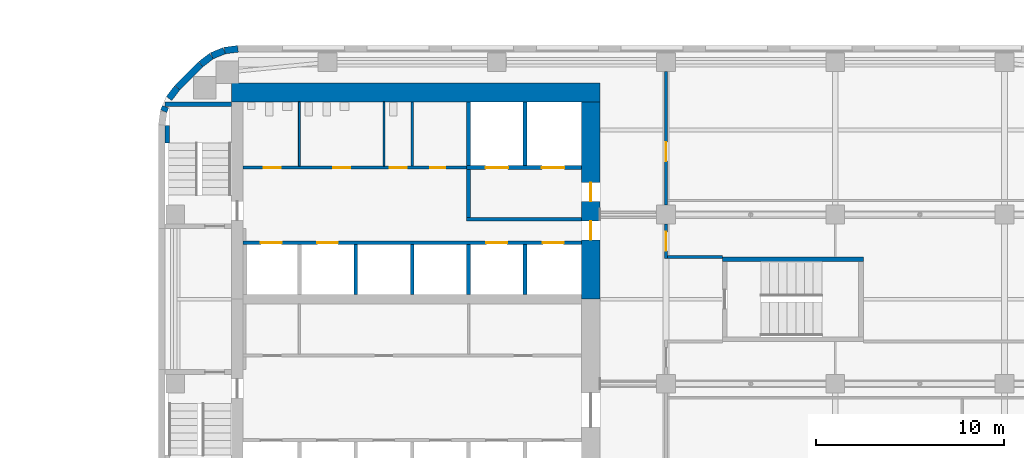
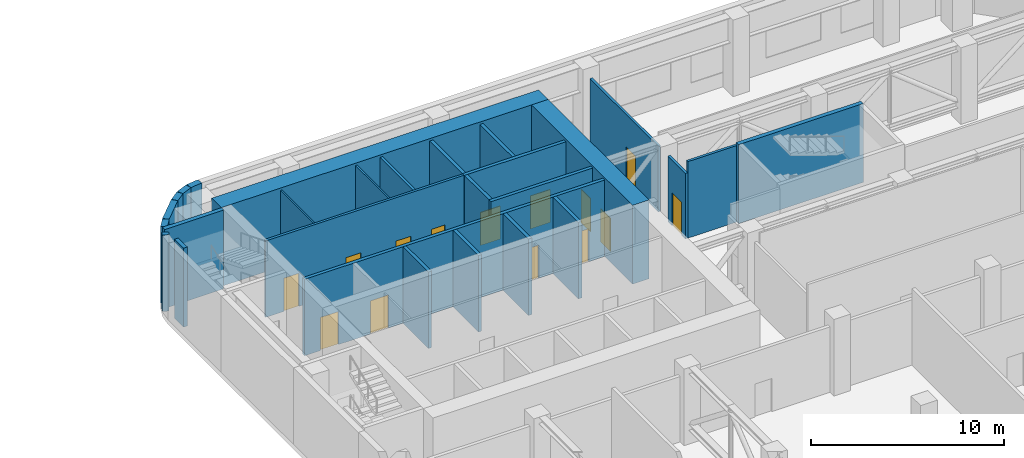
# One storey, part 17 of 23: 28 walls, 14 doors, 14 openings.
"""IFC4 building model written with IfcOpenShell, lengths in metres."""

from ifc_helpers import new_model, si_unit, direction, frame, frame_2d, origin, place, context, subcontext, project, spatial, rectangle, extrude, material, layer, layer_set, type_object, element, fill, save


model = new_model("IFC4")

# Units and contexts
model_context = context("Model", 3, precision=1e-05, world=origin(), true_north=direction((0.0, 1.0)))
body_context = subcontext(model_context, "Body", "Model", "MODEL_VIEW")
ifc_project = project(units=[si_unit("LENGTHUNIT", "METRE"), si_unit("AREAUNIT", "SQUARE_METRE"), si_unit("VOLUMEUNIT", "CUBIC_METRE"), si_unit("PLANEANGLEUNIT", "RADIAN"), si_unit("MASSUNIT", "GRAM", prefix="KILO")], contexts=[model_context])

# Site, building, storey
site_placement = place(None, origin())
site = spatial("IfcSite", under=ifc_project, at=site_placement, CompositionType="ELEMENT")
building_placement = place(site_placement, origin())
building = spatial("IfcBuilding", under=site, at=building_placement, Name="Cinnabar Reach Civic Tower", CompositionType="ELEMENT")
storey_placement = place(building_placement, frame((0.0, 0.0, 46.0)))
storey = spatial("IfcBuildingStorey", under=building, at=storey_placement, Name="L10", CompositionType="ELEMENT", Elevation=46.0)

# Walls
ifc_material_1 = material(Name="Facing brick with insulated backing", Category="masonry")
ifc_layer_1 = layer(ifc_material_1, 0.36)
ifc_layer_set_1 = layer_set([ifc_layer_1], Name="Brick corner wall")
wall_type_1 = type_object("IfcWallType", Name="Brick corner wall", PredefinedType="STANDARD", material=ifc_layer_set_1)
for number, where, z_axis, x_axis, name in (
    (1, (4.2314, 44.817, 0.0), (0.0, 0.0, 1.0), (-0.99144092581, -0.13055608231, 0.0), "Brick corner wall"),
    (2, (3.5027, 44.7181, 0.0), (0.0, 0.0, 1.0), (-0.923871547278, -0.382702709855, 0.0), "Brick corner wall"),
):
    element("IfcWall", number, at=place(storey_placement, frame(where, z_axis=z_axis, x_axis=x_axis)), inside=storey, type_object=wall_type_1, Name=name, PredefinedType="STANDARD", context=body_context, shape_type="SweptSolid", body=[
        extrude(rectangle(XDim=0.7131, YDim=0.36, at=frame_2d((0.3565, 0.0))), origin(), (0.0, 0.0, 1.0), 4.85),
    ])
for number, where, z_axis, x_axis, name in (
    (3, (2.8245, 44.434, 0.0), (0.0, 0.0, 1.0), (-0.793321924995, -0.608802368033, 0.0), "Brick corner wall"),
    (4, (1.0002, 42.7413, 0.0), (0.0, 0.0, 1.0), (-0.608802368033, -0.793321924995, 0.0), "Brick corner wall"),
):
    element("IfcWall", number, at=place(storey_placement, frame(where, z_axis=z_axis, x_axis=x_axis)), inside=storey, type_object=wall_type_1, Name=name, PredefinedType="STANDARD", context=body_context, shape_type="SweptSolid", body=[
        extrude(rectangle(XDim=0.7132, YDim=0.36, at=frame_2d((0.3566, 0.0))), origin(), (0.0, 0.0, 1.0), 4.85),
    ])
wall_1_placement = place(storey_placement, frame((0.3808, 41.736, 0.0), z_axis=(0.0, 0.0, 1.0), x_axis=(-0.382773360986, -0.923842277729, 0.0)))
element("IfcWall", 5, at=wall_1_placement, inside=storey, type_object=wall_type_1, Name="Brick corner wall", PredefinedType="STANDARD", context=body_context, shape_type="SweptSolid", body=[
    extrude(rectangle(XDim=0.2584, YDim=0.36, at=frame_2d((0.1292, 0.0))), origin(), (0.0, 0.0, 1.0), 4.85),
])
ifc_layer_2 = layer(ifc_material_1, 0.36)
ifc_layer_set_2 = layer_set([ifc_layer_2], Name="Brick pier and spandrel wall")
wall_type_2 = type_object("IfcWallType", Name="Brick pier and spandrel wall", PredefinedType="STANDARD", material=ifc_layer_set_2)
wall_2_placement = place(storey_placement, frame((2.2486, 43.994, 0.0), z_axis=(0.0, 0.0, 1.0), x_axis=(-0.707106781187, -0.707106781187, 0.0)))
element("IfcWall", 6, at=wall_2_placement, inside=storey, type_object=wall_type_2, Name="Brick facade wall", PredefinedType="STANDARD", context=body_context, shape_type="SweptSolid", body=[
    extrude(rectangle(XDim=1.7573, YDim=0.36, at=frame_2d((0.8787, 0.0))), origin(), (0.0, 0.0, 1.0), 4.85),
])
ifc_material_2 = material(Name="Concrete C70", Category="concrete")
ifc_layer_3 = layer(ifc_material_2, 1.0)
ifc_layer_set_3 = layer_set([ifc_layer_3], Name="Core wall 1000 EI 180")
wall_type_3 = type_object("IfcWallType", Name="Core wall 1000 EI 180", PredefinedType="SOLIDWALL", material=ifc_layer_set_3)
wall_3_placement = place(storey_placement, frame((23.5, 42.5, 0.0), z_axis=(0.0, 0.0, 1.0), x_axis=(-1.0, 0.0, 0.0)))
element("IfcWall", 7, at=wall_3_placement, inside=storey, type_object=wall_type_3, Name="Core wall T1 L10 N", PredefinedType="SOLIDWALL", context=body_context, shape_type="SweptSolid", body=[
    extrude(rectangle(XDim=19.6, YDim=1.0, at=frame_2d((9.8, 0.0))), origin(), (0.0, 0.0, 1.0), 5.0),
])

# Wall, openings, doors
wall_4_placement = place(storey_placement, frame((23.0, 31.5, 0.0), z_axis=(0.0, 0.0, 1.0), x_axis=(0.0, 1.0, 0.0)))
wall_4 = element("IfcWall", 8, at=wall_4_placement, inside=storey, type_object=wall_type_3, Name="Core wall T1 L10 E2", PredefinedType="SOLIDWALL", context=body_context, shape_type="SweptSolid", body=[
    extrude(rectangle(XDim=10.5, YDim=1.0, at=frame_2d((5.25, 0.0))), origin(), (0.0, 0.0, 1.0), 5.0),
])
opening_1_placement = place(wall_4_placement, frame((3.15, 0.0, 0.0)))
opening_1 = element("IfcOpeningElement", 9, at=opening_1_placement, cuts=wall_4, Name="Opening D3410", PredefinedType="OPENING", context=body_context, shape_type="SweptSolid", body=[
    extrude(rectangle(XDim=1.0, YDim=2.1, at=frame_2d((0.5, 1.05))), frame((0.0, 0.51, 0.0), z_axis=(0.0, -1.0, 0.0), x_axis=(1.0, 0.0, 0.0)), (0.0, 0.0, 1.0), 1.02),
])
opening_2_placement = place(wall_4_placement, frame((5.2, 0.0, 0.0)))
opening_2 = element("IfcOpeningElement", 10, at=opening_2_placement, cuts=wall_4, Name="Opening D3411", PredefinedType="OPENING", context=body_context, shape_type="SweptSolid", body=[
    extrude(rectangle(XDim=1.0, YDim=2.1, at=frame_2d((0.5, 1.05))), frame((0.0, 0.51, 0.0), z_axis=(0.0, -1.0, 0.0), x_axis=(1.0, 0.0, 0.0)), (0.0, 0.0, 1.0), 1.02),
])
ifc_material_3 = material(Name="Timber door leaf in steel frame", Category="steel")
door_type_1 = type_object("IfcDoorType", Name="Firefighting lobby door 1000 x 2100 T1", OperationType="SINGLE_SWING_LEFT", PredefinedType="DOOR", material=ifc_material_3)
door_1_placement = place(opening_2_placement, origin())
door_1 = element("IfcDoor", 11, at=door_1_placement, inside=storey, type_object=door_type_1, Name="Door D3411", OperationType="SINGLE_SWING_LEFT", OverallHeight=2.1, OverallWidth=1.0, PredefinedType="DOOR", context=body_context, shape_type="SweptSolid", body=[
    extrude(rectangle(XDim=1.0, YDim=2.1, at=frame_2d((0.5, 1.05))), frame((0.0, 0.025, 0.0), z_axis=(0.0, -1.0, 0.0), x_axis=(1.0, 0.0, 0.0)), (0.0, 0.0, 1.0), 0.05),
])
fill(opening_2, door_1)
door_type_2 = type_object("IfcDoorType", Name="Single swing door 1000 x 2100 T1", OperationType="SINGLE_SWING_LEFT", PredefinedType="DOOR", material=ifc_material_3)
door_2_placement = place(opening_1_placement, origin())
door_2 = element("IfcDoor", 12, at=door_2_placement, inside=storey, type_object=door_type_2, Name="Door D3410", OperationType="SINGLE_SWING_RIGHT", OverallHeight=2.1, OverallWidth=1.0, PredefinedType="DOOR", context=body_context, shape_type="SweptSolid", body=[
    extrude(rectangle(XDim=1.0, YDim=2.1, at=frame_2d((0.5, 1.05))), frame((0.0, 0.025, 0.0), z_axis=(0.0, -1.0, 0.0), x_axis=(1.0, 0.0, 0.0)), (0.0, 0.0, 1.0), 0.05),
])
fill(opening_1, door_2)

ifc_material_4 = material(Name="Gypsum board on steel studs, double layer", Category="steel")
ifc_layer_4 = layer(ifc_material_4, 0.15)
ifc_layer_set_4 = layer_set([ifc_layer_4], Name="Corridor wall 150 T1")
wall_type_4 = type_object("IfcWallType", Name="Corridor wall 150 T1", PredefinedType="PARTITIONING", material=ifc_layer_set_4)
wall_5_placement = place(storey_placement, frame((4.5, 38.5, 0.0), z_axis=(0.0, 0.0, 1.0), x_axis=(1.0, 0.0, 0.0)))
wall_5 = element("IfcWall", 13, at=wall_5_placement, inside=storey, type_object=wall_type_4, Name="Corridor wall 34", PredefinedType="PARTITIONING", context=body_context, shape_type="SweptSolid", body=[
    extrude(rectangle(XDim=11.9, YDim=0.15, at=frame_2d((5.95, 0.0))), origin(), (0.0, 0.0, 1.0), 4.85),
])
opening_3_placement = place(wall_5_placement, frame((1.1, 0.0, 0.0)))
opening_3 = element("IfcOpeningElement", 14, at=opening_3_placement, cuts=wall_5, Name="Opening D3416", PredefinedType="OPENING", context=body_context, shape_type="SweptSolid", body=[
    extrude(rectangle(XDim=0.9, YDim=2.1, at=frame_2d((0.45, 1.05))), frame((0.0, 0.085, 0.0), z_axis=(0.0, -1.0, 0.0), x_axis=(1.0, 0.0, 0.0)), (0.0, 0.0, 1.0), 0.17),
])
opening_4_placement = place(wall_5_placement, frame((4.8, 0.0, 0.0)))
opening_4 = element("IfcOpeningElement", 15, at=opening_4_placement, cuts=wall_5, Name="Opening D3417", PredefinedType="OPENING", context=body_context, shape_type="SweptSolid", body=[
    extrude(rectangle(XDim=0.9, YDim=2.1, at=frame_2d((0.45, 1.05))), frame((0.0, 0.085, 0.0), z_axis=(0.0, -1.0, 0.0), x_axis=(1.0, 0.0, 0.0)), (0.0, 0.0, 1.0), 0.17),
])
opening_5_placement = place(wall_5_placement, frame((7.8, 0.0, 0.0)))
opening_5 = element("IfcOpeningElement", 16, at=opening_5_placement, cuts=wall_5, Name="Opening D3418", PredefinedType="OPENING", context=body_context, shape_type="SweptSolid", body=[
    extrude(rectangle(XDim=0.9, YDim=2.1, at=frame_2d((0.45, 1.05))), frame((0.0, 0.085, 0.0), z_axis=(0.0, -1.0, 0.0), x_axis=(1.0, 0.0, 0.0)), (0.0, 0.0, 1.0), 0.17),
])
opening_6_placement = place(wall_5_placement, frame((9.95, 0.0, 0.0)))
opening_6 = element("IfcOpeningElement", 17, at=opening_6_placement, cuts=wall_5, Name="Opening D3419", PredefinedType="OPENING", context=body_context, shape_type="SweptSolid", body=[
    extrude(rectangle(XDim=0.8, YDim=2.1, at=frame_2d((0.4, 1.05))), frame((0.0, 0.085, 0.0), z_axis=(0.0, -1.0, 0.0), x_axis=(1.0, 0.0, 0.0)), (0.0, 0.0, 1.0), 0.17),
])
door_type_3 = type_object("IfcDoorType", Name="Riser access door 800 x 2100 T1", OperationType="SINGLE_SWING_LEFT", PredefinedType="DOOR", material=ifc_material_3)
door_3_placement = place(opening_6_placement, origin())
door_3 = element("IfcDoor", 18, at=door_3_placement, inside=storey, type_object=door_type_3, Name="Door D3419", OperationType="SINGLE_SWING_LEFT", OverallHeight=2.1, OverallWidth=0.8, PredefinedType="DOOR", context=body_context, shape_type="SweptSolid", body=[
    extrude(rectangle(XDim=0.8, YDim=2.1, at=frame_2d((0.4, 1.05))), frame((0.0, 0.025, 0.0), z_axis=(0.0, -1.0, 0.0), x_axis=(1.0, 0.0, 0.0)), (0.0, 0.0, 1.0), 0.05),
])
fill(opening_6, door_3)
door_type_4 = type_object("IfcDoorType", Name="Single swing door 900 x 2100 corridor T1", OperationType="SINGLE_SWING_LEFT", PredefinedType="DOOR", material=ifc_material_3)
door_4_placement = place(opening_3_placement, origin())
door_4 = element("IfcDoor", 19, at=door_4_placement, inside=storey, type_object=door_type_4, Name="Door D3416", OperationType="SINGLE_SWING_LEFT", OverallHeight=2.1, OverallWidth=0.9, PredefinedType="DOOR", context=body_context, shape_type="SweptSolid", body=[
    extrude(rectangle(XDim=0.9, YDim=2.1, at=frame_2d((0.45, 1.05))), frame((0.0, 0.025, 0.0), z_axis=(0.0, -1.0, 0.0), x_axis=(1.0, 0.0, 0.0)), (0.0, 0.0, 1.0), 0.05),
])
fill(opening_3, door_4)
door_5_placement = place(opening_4_placement, origin())
door_5 = element("IfcDoor", 20, at=door_5_placement, inside=storey, type_object=door_type_4, Name="Door D3417", OperationType="SINGLE_SWING_RIGHT", OverallHeight=2.1, OverallWidth=0.9, PredefinedType="DOOR", context=body_context, shape_type="SweptSolid", body=[
    extrude(rectangle(XDim=0.9, YDim=2.1, at=frame_2d((0.45, 1.05))), frame((0.0, 0.025, 0.0), z_axis=(0.0, -1.0, 0.0), x_axis=(1.0, 0.0, 0.0)), (0.0, 0.0, 1.0), 0.05),
])
fill(opening_4, door_5)
door_6_placement = place(opening_5_placement, origin())
door_6 = element("IfcDoor", 21, at=door_6_placement, inside=storey, type_object=door_type_4, Name="Door D3418", OperationType="SINGLE_SWING_RIGHT", OverallHeight=2.1, OverallWidth=0.9, PredefinedType="DOOR", context=body_context, shape_type="SweptSolid", body=[
    extrude(rectangle(XDim=0.9, YDim=2.1, at=frame_2d((0.45, 1.05))), frame((0.0, 0.025, 0.0), z_axis=(0.0, -1.0, 0.0), x_axis=(1.0, 0.0, 0.0)), (0.0, 0.0, 1.0), 0.05),
])
fill(opening_5, door_6)

# Wall, opening, door
wall_6_placement = place(storey_placement, frame((27.0, 33.675, 0.0), z_axis=(0.0, 0.0, 1.0), x_axis=(0.0, 1.0, 0.0)))
wall_6 = element("IfcWall", 22, at=wall_6_placement, inside=storey, type_object=wall_type_4, Name="Corridor wall 35", PredefinedType="PARTITIONING", context=body_context, shape_type="SweptSolid", body=[
    extrude(rectangle(XDim=1.825, YDim=0.15, at=frame_2d((0.9125, 0.0))), origin(), (0.0, 0.0, 1.0), 4.158),
])
opening_7_placement = place(wall_6_placement, frame((0.4, 0.0, 0.0)))
opening_7 = element("IfcOpeningElement", 23, at=opening_7_placement, cuts=wall_6, Name="Opening D3420", PredefinedType="OPENING", context=body_context, shape_type="SweptSolid", body=[
    extrude(rectangle(XDim=1.0, YDim=2.1, at=frame_2d((0.5, 1.05))), frame((0.0, 0.085, 0.0), z_axis=(0.0, -1.0, 0.0), x_axis=(1.0, 0.0, 0.0)), (0.0, 0.0, 1.0), 0.17),
])
door_type_5 = type_object("IfcDoorType", Name="Plant room door 1000 x 2100 T1", OperationType="SINGLE_SWING_LEFT", PredefinedType="DOOR", material=ifc_material_3)
door_7_placement = place(opening_7_placement, frame((1.0, 0.0, 0.0), z_axis=(0.0, 0.0, 1.0), x_axis=(-1.0, 0.0, 0.0)))
door_7 = element("IfcDoor", 24, at=door_7_placement, inside=storey, type_object=door_type_5, Name="Door D3420", OperationType="SINGLE_SWING_RIGHT", OverallHeight=2.1, OverallWidth=1.0, PredefinedType="DOOR", context=body_context, shape_type="SweptSolid", body=[
    extrude(rectangle(XDim=1.0, YDim=2.1, at=frame_2d((0.5, 1.05))), frame((0.0, 0.025, 0.0), z_axis=(0.0, -1.0, 0.0), x_axis=(1.0, 0.0, 0.0)), (0.0, 0.0, 1.0), 0.05),
])
fill(opening_7, door_7)

wall_7_placement = place(storey_placement, frame((27.0, 36.5, 0.0), z_axis=(0.0, 0.0, 1.0), x_axis=(0.0, 1.0, 0.0)))
wall_7 = element("IfcWall", 25, at=wall_7_placement, inside=storey, type_object=wall_type_4, Name="Corridor wall 36", PredefinedType="PARTITIONING", context=body_context, shape_type="SweptSolid", body=[
    extrude(rectangle(XDim=7.1, YDim=0.15, at=frame_2d((3.55, 0.0))), origin(), (0.0, 0.0, 1.0), 4.158),
])
opening_8_placement = place(wall_7_placement, frame((2.35, 0.0, 0.0)))
opening_8 = element("IfcOpeningElement", 26, at=opening_8_placement, cuts=wall_7, Name="Opening D3421", PredefinedType="OPENING", context=body_context, shape_type="SweptSolid", body=[
    extrude(rectangle(XDim=1.0, YDim=2.1, at=frame_2d((0.5, 1.05))), frame((0.0, 0.085, 0.0), z_axis=(0.0, -1.0, 0.0), x_axis=(1.0, 0.0, 0.0)), (0.0, 0.0, 1.0), 0.17),
])
door_8_placement = place(opening_8_placement, origin())
door_8 = element("IfcDoor", 27, at=door_8_placement, inside=storey, type_object=door_type_5, Name="Door D3421", OperationType="SINGLE_SWING_LEFT", OverallHeight=2.1, OverallWidth=1.0, PredefinedType="DOOR", context=body_context, shape_type="SweptSolid", body=[
    extrude(rectangle(XDim=1.0, YDim=2.1, at=frame_2d((0.5, 1.05))), frame((0.0, 0.025, 0.0), z_axis=(0.0, -1.0, 0.0), x_axis=(1.0, 0.0, 0.0)), (0.0, 0.0, 1.0), 0.05),
])
fill(opening_8, door_8)

# Wall
wall_8_placement = place(storey_placement, frame((27.075, 33.75, 0.0), z_axis=(0.0, 0.0, 1.0), x_axis=(1.0, 0.0, 0.0)))
element("IfcWall", 28, at=wall_8_placement, inside=storey, type_object=wall_type_4, Name="Corridor wall 42", PredefinedType="PARTITIONING", context=body_context, shape_type="SweptSolid", body=[
    extrude(rectangle(XDim=2.925, YDim=0.15, at=frame_2d((1.4625, 0.0))), origin(), (0.0, 0.0, 1.0), 4.85),
])

# Wall, openings, doors
ifc_material_5 = material(Name="Blockwork", Category="masonry")
ifc_layer_5 = layer(ifc_material_5, 0.2)
ifc_layer_set_5 = layer_set([ifc_layer_5], Name="Lift shaft wall 200 T1")
wall_type_5 = type_object("IfcWallType", Name="Lift shaft wall 200 T1", PredefinedType="PARTITIONING", material=ifc_layer_set_5)
wall_9_placement = place(storey_placement, frame((4.5, 34.5, 0.0), z_axis=(0.0, 0.0, 1.0), x_axis=(1.0, 0.0, 0.0)))
wall_9 = element("IfcWall", 29, at=wall_9_placement, inside=storey, type_object=wall_type_5, Name="Lift shaft wall 18", PredefinedType="PARTITIONING", context=body_context, shape_type="SweptSolid", body=[
    extrude(rectangle(XDim=18.0, YDim=0.2, at=frame_2d((9.0, 0.0))), origin(), (0.0, 0.0, 1.0), 4.85),
])
opening_9_placement = place(wall_9_placement, frame((0.95, 0.0, 0.0)))
opening_9 = element("IfcOpeningElement", 30, at=opening_9_placement, cuts=wall_9, Name="Opening D3403", PredefinedType="OPENING", context=body_context, shape_type="SweptSolid", body=[
    extrude(rectangle(XDim=1.1, YDim=2.1, at=frame_2d((0.55, 1.05))), frame((0.0, 0.11, 0.0), z_axis=(0.0, -1.0, 0.0), x_axis=(1.0, 0.0, 0.0)), (0.0, 0.0, 1.0), 0.22),
])
opening_10_placement = place(wall_9_placement, frame((3.95, 0.0, 0.0)))
opening_10 = element("IfcOpeningElement", 31, at=opening_10_placement, cuts=wall_9, Name="Opening D3404", PredefinedType="OPENING", context=body_context, shape_type="SweptSolid", body=[
    extrude(rectangle(XDim=1.1, YDim=2.1, at=frame_2d((0.55, 1.05))), frame((0.0, 0.11, 0.0), z_axis=(0.0, -1.0, 0.0), x_axis=(1.0, 0.0, 0.0)), (0.0, 0.0, 1.0), 0.22),
])
opening_11_placement = place(wall_9_placement, frame((12.95, 0.0, 0.0)))
opening_11 = element("IfcOpeningElement", 32, at=opening_11_placement, cuts=wall_9, Name="Opening D3405", PredefinedType="OPENING", context=body_context, shape_type="SweptSolid", body=[
    extrude(rectangle(XDim=1.1, YDim=2.1, at=frame_2d((0.55, 1.05))), frame((0.0, 0.11, 0.0), z_axis=(0.0, -1.0, 0.0), x_axis=(1.0, 0.0, 0.0)), (0.0, 0.0, 1.0), 0.22),
])
opening_12_placement = place(wall_9_placement, frame((15.95, 0.0, 0.0)))
opening_12 = element("IfcOpeningElement", 33, at=opening_12_placement, cuts=wall_9, Name="Opening D3406", PredefinedType="OPENING", context=body_context, shape_type="SweptSolid", body=[
    extrude(rectangle(XDim=1.1, YDim=2.1, at=frame_2d((0.55, 1.05))), frame((0.0, 0.11, 0.0), z_axis=(0.0, -1.0, 0.0), x_axis=(1.0, 0.0, 0.0)), (0.0, 0.0, 1.0), 0.22),
])
ifc_material_6 = material(Name="Stainless steel sliding door", Category="steel")
door_type_6 = type_object("IfcDoorType", Name="Lift landing door 1100 x 2100 T1", OperationType="SLIDING_TO_LEFT", PredefinedType="DOOR", material=ifc_material_6)
door_9_placement = place(opening_9_placement, origin())
door_9 = element("IfcDoor", 34, at=door_9_placement, inside=storey, type_object=door_type_6, Name="Lift landing door SH1 L10", OperationType="SLIDING_TO_LEFT", OverallHeight=2.1, OverallWidth=1.1, PredefinedType="DOOR", context=body_context, shape_type="SweptSolid", body=[
    extrude(rectangle(XDim=1.1, YDim=2.1, at=frame_2d((0.55, 1.05))), frame((0.0, 0.025, 0.0), z_axis=(0.0, -1.0, 0.0), x_axis=(1.0, 0.0, 0.0)), (0.0, 0.0, 1.0), 0.05),
])
fill(opening_9, door_9)
door_10_placement = place(opening_10_placement, origin())
door_10 = element("IfcDoor", 35, at=door_10_placement, inside=storey, type_object=door_type_6, Name="Lift landing door SH2 L10", OperationType="SLIDING_TO_LEFT", OverallHeight=2.1, OverallWidth=1.1, PredefinedType="DOOR", context=body_context, shape_type="SweptSolid", body=[
    extrude(rectangle(XDim=1.1, YDim=2.1, at=frame_2d((0.55, 1.05))), frame((0.0, 0.025, 0.0), z_axis=(0.0, -1.0, 0.0), x_axis=(1.0, 0.0, 0.0)), (0.0, 0.0, 1.0), 0.05),
])
fill(opening_10, door_10)
door_11_placement = place(opening_11_placement, origin())
door_11 = element("IfcDoor", 36, at=door_11_placement, inside=storey, type_object=door_type_6, Name="Lift landing door SV1 L10", OperationType="SLIDING_TO_LEFT", OverallHeight=2.1, OverallWidth=1.1, PredefinedType="DOOR", context=body_context, shape_type="SweptSolid", body=[
    extrude(rectangle(XDim=1.1, YDim=2.1, at=frame_2d((0.55, 1.05))), frame((0.0, 0.025, 0.0), z_axis=(0.0, -1.0, 0.0), x_axis=(1.0, 0.0, 0.0)), (0.0, 0.0, 1.0), 0.05),
])
fill(opening_11, door_11)
door_12_placement = place(opening_12_placement, origin())
door_12 = element("IfcDoor", 37, at=door_12_placement, inside=storey, type_object=door_type_6, Name="Lift landing door SV2 L10", OperationType="SLIDING_TO_LEFT", OverallHeight=2.1, OverallWidth=1.1, PredefinedType="DOOR", context=body_context, shape_type="SweptSolid", body=[
    extrude(rectangle(XDim=1.1, YDim=2.1, at=frame_2d((0.55, 1.05))), frame((0.0, 0.025, 0.0), z_axis=(0.0, -1.0, 0.0), x_axis=(1.0, 0.0, 0.0)), (0.0, 0.0, 1.0), 0.05),
])
fill(opening_12, door_12)

# Walls
for number, where, z_axis, x_axis, name in (
    (38, (16.5, 38.6, 0.0), (0.0, 0.0, 1.0), (0.0, 1.0, 0.0), "Lift shaft wall 19"),
    (39, (19.5, 38.6, 0.0), (0.0, 0.0, 1.0), (0.0, 1.0, 0.0), "Lift shaft wall 20"),
):
    element("IfcWall", number, at=place(storey_placement, frame(where, z_axis=z_axis, x_axis=x_axis)), inside=storey, type_object=wall_type_5, Name=name, PredefinedType="PARTITIONING", context=body_context, shape_type="SweptSolid", body=[
        extrude(rectangle(XDim=3.4, YDim=0.2, at=frame_2d((1.7, 0.0))), origin(), (0.0, 0.0, 1.0), 4.85),
    ])
for number, where, z_axis, x_axis, name in (
    (40, (10.5, 31.75, 0.0), (0.0, 0.0, 1.0), (0.0, 1.0, 0.0), "Lift shaft wall 25"),
    (41, (13.5, 31.75, 0.0), (0.0, 0.0, 1.0), (0.0, 1.0, 0.0), "Lift shaft wall 27"),
    (42, (16.5, 31.75, 0.0), (0.0, 0.0, 1.0), (0.0, 1.0, 0.0), "Lift shaft wall 29"),
    (43, (19.5, 31.75, 0.0), (0.0, 0.0, 1.0), (0.0, 1.0, 0.0), "Lift shaft wall 31"),
):
    element("IfcWall", number, at=place(storey_placement, frame(where, z_axis=z_axis, x_axis=x_axis)), inside=storey, type_object=wall_type_5, Name=name, PredefinedType="PARTITIONING", context=body_context, shape_type="SweptSolid", body=[
        extrude(rectangle(XDim=2.65, YDim=0.2, at=frame_2d((1.325, 0.0))), origin(), (0.0, 0.0, 1.0), 4.85),
    ])
ifc_material_7 = material(Name="Gypsum board on steel studs", Category="steel")
ifc_layer_6 = layer(ifc_material_7, 0.1)
ifc_layer_set_6 = layer_set([ifc_layer_6], Name="Partition wall 100 T1")
wall_type_6 = type_object("IfcWallType", Name="Partition wall 100 T1", PredefinedType="PARTITIONING", material=ifc_layer_set_6)
for number, where, z_axis, x_axis, name in (
    (44, (7.5, 38.575, 0.0), (0.0, 0.0, 1.0), (0.0, 1.0, 0.0), "Partition wall 49"),
    (45, (12.0, 38.575, 0.0), (0.0, 0.0, 1.0), (0.0, 1.0, 0.0), "Partition wall 50"),
):
    element("IfcWall", number, at=place(storey_placement, frame(where, z_axis=z_axis, x_axis=x_axis)), inside=storey, type_object=wall_type_6, Name=name, PredefinedType="PARTITIONING", context=body_context, shape_type="SweptSolid", body=[
        extrude(rectangle(XDim=3.425, YDim=0.1, at=frame_2d((1.7125, 0.0))), origin(), (0.0, 0.0, 1.0), 4.85),
    ])
ifc_material_8 = material(Name="Concrete C40", Category="concrete")
ifc_layer_7 = layer(ifc_material_8, 0.2)
ifc_layer_set_7 = layer_set([ifc_layer_7], Name="Refuge compartment wall 200 T1")
wall_type_7 = type_object("IfcWallType", Name="Refuge compartment wall 200 T1", PredefinedType="PARTITIONING", material=ifc_layer_set_7)
wall_10_placement = place(storey_placement, frame((16.4, 35.75, 0.0), z_axis=(0.0, 0.0, 1.0), x_axis=(1.0, 0.0, 0.0)))
element("IfcWall", 46, at=wall_10_placement, inside=storey, type_object=wall_type_7, Name="Refuge compartment wall 14", PredefinedType="PARTITIONING", context=body_context, shape_type="SweptSolid", body=[
    extrude(rectangle(XDim=6.1, YDim=0.2, at=frame_2d((3.05, 0.0))), origin(), (0.0, 0.0, 1.0), 4.85),
])

# Wall, openings, doors
wall_11_placement = place(storey_placement, frame((16.4, 38.5, 0.0), z_axis=(0.0, 0.0, 1.0), x_axis=(1.0, 0.0, 0.0)))
wall_11 = element("IfcWall", 47, at=wall_11_placement, inside=storey, type_object=wall_type_7, Name="Refuge compartment wall 15", PredefinedType="PARTITIONING", context=body_context, shape_type="SweptSolid", body=[
    extrude(rectangle(XDim=6.1, YDim=0.2, at=frame_2d((3.05, 0.0))), origin(), (0.0, 0.0, 1.0), 4.85),
])
opening_13_placement = place(wall_11_placement, frame((1.0, 0.0, 0.0)))
opening_13 = element("IfcOpeningElement", 48, at=opening_13_placement, cuts=wall_11, Name="Opening D3407", PredefinedType="OPENING", context=body_context, shape_type="SweptSolid", body=[
    extrude(rectangle(XDim=1.2, YDim=2.1, at=frame_2d((0.6, 1.05))), frame((0.0, 0.11, 0.0), z_axis=(0.0, -1.0, 0.0), x_axis=(1.0, 0.0, 0.0)), (0.0, 0.0, 1.0), 0.22),
])
opening_14_placement = place(wall_11_placement, frame((4.0, 0.0, 0.0)))
opening_14 = element("IfcOpeningElement", 49, at=opening_14_placement, cuts=wall_11, Name="Opening D3408", PredefinedType="OPENING", context=body_context, shape_type="SweptSolid", body=[
    extrude(rectangle(XDim=1.2, YDim=2.1, at=frame_2d((0.6, 1.05))), frame((0.0, 0.11, 0.0), z_axis=(0.0, -1.0, 0.0), x_axis=(1.0, 0.0, 0.0)), (0.0, 0.0, 1.0), 0.22),
])
door_type_7 = type_object("IfcDoorType", Name="Firefighting lift landing door 1200 x 2100 T1", OperationType="SLIDING_TO_LEFT", PredefinedType="DOOR", material=ifc_material_6)
door_13_placement = place(opening_13_placement, origin())
door_13 = element("IfcDoor", 50, at=door_13_placement, inside=storey, type_object=door_type_7, Name="Lift landing door FF1 L10", OperationType="SLIDING_TO_LEFT", OverallHeight=2.1, OverallWidth=1.2, PredefinedType="DOOR", context=body_context, shape_type="SweptSolid", body=[
    extrude(rectangle(XDim=1.2, YDim=2.1, at=frame_2d((0.6, 1.05))), frame((0.0, 0.025, 0.0), z_axis=(0.0, -1.0, 0.0), x_axis=(1.0, 0.0, 0.0)), (0.0, 0.0, 1.0), 0.05),
])
fill(opening_13, door_13)
door_14_placement = place(opening_14_placement, origin())
door_14 = element("IfcDoor", 51, at=door_14_placement, inside=storey, type_object=door_type_7, Name="Lift landing door FF2 L10", OperationType="SLIDING_TO_LEFT", OverallHeight=2.1, OverallWidth=1.2, PredefinedType="DOOR", context=body_context, shape_type="SweptSolid", body=[
    extrude(rectangle(XDim=1.2, YDim=2.1, at=frame_2d((0.6, 1.05))), frame((0.0, 0.025, 0.0), z_axis=(0.0, -1.0, 0.0), x_axis=(1.0, 0.0, 0.0)), (0.0, 0.0, 1.0), 0.05),
])
fill(opening_14, door_14)

# Walls
wall_12_placement = place(storey_placement, frame((16.5, 35.85, 0.0), z_axis=(0.0, 0.0, 1.0), x_axis=(0.0, 1.0, 0.0)))
element("IfcWall", 52, at=wall_12_placement, inside=storey, type_object=wall_type_7, Name="Refuge compartment wall 16", PredefinedType="PARTITIONING", context=body_context, shape_type="SweptSolid", body=[
    extrude(rectangle(XDim=2.55, YDim=0.2, at=frame_2d((1.275, 0.0))), origin(), (0.0, 0.0, 1.0), 4.85),
])
ifc_layer_8 = layer(ifc_material_5, 0.15)
ifc_layer_set_8 = layer_set([ifc_layer_8], Name="Riser wall 150 T1")
wall_type_8 = type_object("IfcWallType", Name="Riser wall 150 T1", PredefinedType="PARTITIONING", material=ifc_layer_set_8)
wall_13_placement = place(storey_placement, frame((13.5, 38.575, 0.0), z_axis=(0.0, 0.0, 1.0), x_axis=(0.0, 1.0, 0.0)))
element("IfcWall", 53, at=wall_13_placement, inside=storey, type_object=wall_type_8, Name="Riser wall 44", PredefinedType="PARTITIONING", context=body_context, shape_type="SweptSolid", body=[
    extrude(rectangle(XDim=3.425, YDim=0.15, at=frame_2d((1.7125, 0.0))), origin(), (0.0, 0.0, 1.0), 4.85),
])
ifc_material_9 = material(Name="Concrete C60", Category="concrete")
ifc_layer_9 = layer(ifc_material_9, 0.25)
ifc_layer_set_9 = layer_set([ifc_layer_9], Name="Stair shaft wall 250 EI 120")
wall_type_9 = type_object("IfcWallType", Name="Stair shaft wall 250 EI 120", PredefinedType="SOLIDWALL", material=ifc_layer_set_9)
wall_14_placement = place(storey_placement, frame((3.9, 41.875, 0.0), z_axis=(0.0, 0.0, 1.0), x_axis=(-1.0, 0.0, 0.0)))
element("IfcWall", 54, at=wall_14_placement, inside=storey, type_object=wall_type_9, Name="Stair shaft wall T1-S2 L10", PredefinedType="SOLIDWALL", context=body_context, shape_type="SweptSolid", body=[
    extrude(rectangle(XDim=3.54, YDim=0.25, at=frame_2d((1.77, 0.0))), origin(), (0.0, 0.0, 1.0), 5.0),
])
wall_15_placement = place(storey_placement, frame((37.5, 33.625, 0.0), z_axis=(0.0, 0.0, 1.0), x_axis=(-1.0, 0.0, 0.0)))
element("IfcWall", 55, at=wall_15_placement, inside=storey, type_object=wall_type_9, Name="Stair shaft wall T1-S3 L10", PredefinedType="SOLIDWALL", context=body_context, shape_type="SweptSolid", body=[
    extrude(rectangle(XDim=7.5, YDim=0.25, at=frame_2d((3.75, 0.0))), origin(), (0.0, 0.0, 1.0), 5.0),
])
ifc_material_10 = material(Name="Concrete C40/50", Category="concrete")
ifc_layer_10 = layer(ifc_material_10, 0.24)
ifc_layer_set_10 = layer_set([ifc_layer_10], Name="T1 landing bearer wall 240")
wall_type_10 = type_object("IfcWallType", Name="T1 landing bearer wall 240", PredefinedType="STANDARD", material=ifc_layer_set_10)
wall_16_placement = place(storey_placement, frame((0.48, 39.795, 0.0), z_axis=(0.0, 0.0, 1.0), x_axis=(0.0, 1.0, 0.0)))
element("IfcWall", 56, at=wall_16_placement, inside=storey, type_object=wall_type_10, Name="T1-S2 landing bearer wall", PredefinedType="STANDARD", context=body_context, shape_type="SweptSolid", body=[
    extrude(rectangle(XDim=0.9501, YDim=0.24, at=frame_2d((0.475, 0.0))), origin(), (0.0, 0.0, 1.0), 5.0),
])

save(model, "model.ifc")
